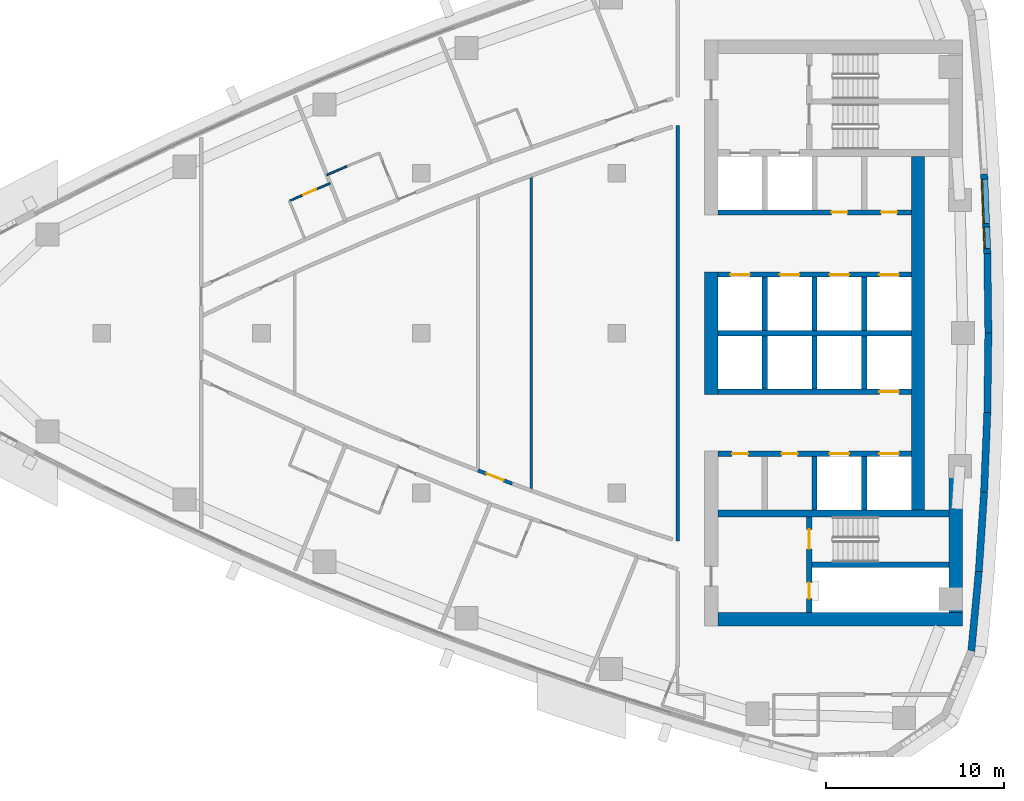
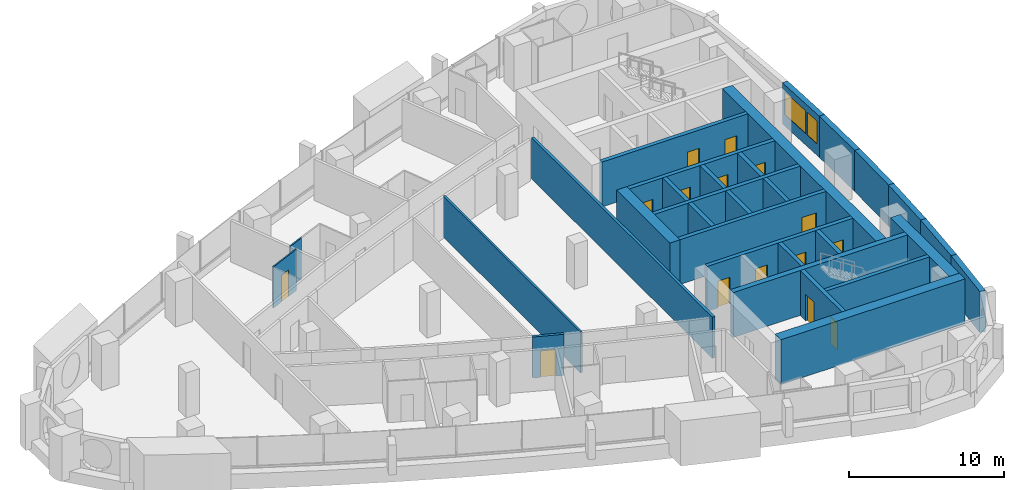
# One storey, part 11 of 17: 31 walls, 15 doors, 2 windows, 17 openings.
"""IFC4 building model written with IfcOpenShell, lengths in metres."""

from ifc_helpers import new_model, si_unit, direction, frame, frame_2d, origin, place, context, subcontext, project, spatial, polyline, rectangle, outline, extrude, material, layer, layer_set, type_object, element, fill, save


model = new_model("IFC4")

# Units and contexts
model_context = context("Model", 3, precision=1e-05, world=origin(), true_north=direction((0.0, 1.0)))
body_context = subcontext(model_context, "Body", "Model", "MODEL_VIEW")
ifc_project = project(units=[si_unit("LENGTHUNIT", "METRE"), si_unit("AREAUNIT", "SQUARE_METRE"), si_unit("VOLUMEUNIT", "CUBIC_METRE"), si_unit("PLANEANGLEUNIT", "RADIAN"), si_unit("MASSUNIT", "GRAM", prefix="KILO")], contexts=[model_context])

# Site, building, storey
site_placement = place(None, origin())
site = spatial("IfcSite", under=ifc_project, at=site_placement, CompositionType="ELEMENT")
building_placement = place(site_placement, origin())
building = spatial("IfcBuilding", under=site, at=building_placement, Name="Ostrand Prow Hotel Tower", CompositionType="ELEMENT")
storey_placement = place(building_placement, frame((0.0, 0.0, 196.800048828125)))
storey = spatial("IfcBuildingStorey", under=building, at=storey_placement, Name="L49", CompositionType="ELEMENT", Elevation=196.800048828125)

# Wall
ifc_material_1 = material(Name="Concrete C60/75", Category="concrete")
ifc_layer_1 = layer(ifc_material_1, 0.300048828125)
ifc_layer_set_1 = layer_set([ifc_layer_1], Name="Concrete C60/75")
wall_type_1 = type_object("IfcWallType", Name="Core wall 300 C60/75", PredefinedType="SHEAR", material=ifc_layer_set_1)
wall_1_placement = place(storey_placement, frame((50.699951171875, 0.0, 0.0), z_axis=(0.0, 0.0, 1.0), x_axis=(1.0, 0.0, 0.0)))
element("IfcWall", 1, at=wall_1_placement, inside=storey, type_object=wall_type_1, Name="Core wall PW-C", PredefinedType="SHEAR", context=body_context, shape_type="SweptSolid", body=[
    extrude(rectangle(XDim=10.900146484375, YDim=0.300048828125, at=frame_2d((5.4501953125, 0.0))), origin(), (0.0, 0.0, 1.0), 3.550048828125),
])

# Wall, openings, doors
wall_2_placement = place(storey_placement, frame((50.699951171875, 3.300048828125, 0.0), z_axis=(0.0, 0.0, 1.0), x_axis=(1.0, 0.0, 0.0)))
wall_2 = element("IfcWall", 2, at=wall_2_placement, inside=storey, type_object=wall_type_1, Name="Core wall PW-L1-N", PredefinedType="SHEAR", context=body_context, shape_type="SweptSolid", body=[
    extrude(rectangle(XDim=10.900146484375, YDim=0.300048828125, at=frame_2d((5.4501953125, 0.0))), origin(), (0.0, 0.0, 1.0), 3.550048828125),
])
opening_1_placement = place(wall_2_placement, frame((0.699951171875, 0.0, 0.0)))
opening_1 = element("IfcOpeningElement", 3, at=opening_1_placement, cuts=wall_2, Name="Opening LD", PredefinedType="OPENING", context=body_context, shape_type="SweptSolid", body=[
    extrude(rectangle(XDim=1.10009765625, YDim=2.10009765625, at=frame_2d((0.550048828125, 1.050048828125))), frame((0.0, 0.159912109375, 0.0), z_axis=(0.0, -1.0, 0.0), x_axis=(1.0, 0.0, 0.0)), (0.0, 0.0, 1.0), 0.320068359375),
])
opening_2_placement = place(wall_2_placement, frame((3.5, 0.0, 0.0)))
opening_2 = element("IfcOpeningElement", 4, at=opening_2_placement, cuts=wall_2, Name="Opening LD", PredefinedType="OPENING", context=body_context, shape_type="SweptSolid", body=[
    extrude(rectangle(XDim=1.10009765625, YDim=2.10009765625, at=frame_2d((0.550048828125, 1.050048828125))), frame((0.0, 0.159912109375, 0.0), z_axis=(0.0, -1.0, 0.0), x_axis=(1.0, 0.0, 0.0)), (0.0, 0.0, 1.0), 0.320068359375),
])
opening_3_placement = place(wall_2_placement, frame((6.300048828125, 0.0, 0.0)))
opening_3 = element("IfcOpeningElement", 5, at=opening_3_placement, cuts=wall_2, Name="Opening LD", PredefinedType="OPENING", context=body_context, shape_type="SweptSolid", body=[
    extrude(rectangle(XDim=1.10009765625, YDim=2.10009765625, at=frame_2d((0.550048828125, 1.050048828125))), frame((0.0, 0.159912109375, 0.0), z_axis=(0.0, -1.0, 0.0), x_axis=(1.0, 0.0, 0.0)), (0.0, 0.0, 1.0), 0.320068359375),
])
opening_4_placement = place(wall_2_placement, frame((9.10009765625, 0.0, 0.0)))
opening_4 = element("IfcOpeningElement", 6, at=opening_4_placement, cuts=wall_2, Name="Opening LD", PredefinedType="OPENING", context=body_context, shape_type="SweptSolid", body=[
    extrude(rectangle(XDim=1.10009765625, YDim=2.10009765625, at=frame_2d((0.550048828125, 1.050048828125))), frame((0.0, 0.159912109375, 0.0), z_axis=(0.0, -1.0, 0.0), x_axis=(1.0, 0.0, 0.0)), (0.0, 0.0, 1.0), 0.320068359375),
])
ifc_material_2 = material(Name="Stainless steel door", Category="steel")
door_type_1 = type_object("IfcDoorType", Name="Lift landing door 1100", OperationType="DOUBLE_DOOR_SLIDING", PredefinedType="DOOR", material=ifc_material_2)
door_1_placement = place(opening_1_placement, origin())
door_1 = element("IfcDoor", 7, at=door_1_placement, inside=storey, type_object=door_type_1, Name="LIFT LANDING DOOR", OperationType="DOUBLE_DOOR_SLIDING", OverallHeight=2.10009765625, OverallWidth=1.10009765625, PredefinedType="DOOR", context=body_context, shape_type="SweptSolid", body=[
    extrude(rectangle(XDim=1.10009765625, YDim=2.10009765625, at=frame_2d((0.550048828125, 1.050048828125))), frame((0.0, 0.02490234375, 0.0), z_axis=(0.0, -1.0, 0.0), x_axis=(1.0, 0.0, 0.0)), (0.0, 0.0, 1.0), 0.050048828125),
])
fill(opening_1, door_1)
door_2_placement = place(opening_2_placement, origin())
door_2 = element("IfcDoor", 8, at=door_2_placement, inside=storey, type_object=door_type_1, Name="LIFT LANDING DOOR", OperationType="DOUBLE_DOOR_SLIDING", OverallHeight=2.10009765625, OverallWidth=1.10009765625, PredefinedType="DOOR", context=body_context, shape_type="SweptSolid", body=[
    extrude(rectangle(XDim=1.10009765625, YDim=2.10009765625, at=frame_2d((0.550048828125, 1.050048828125))), frame((0.0, 0.02490234375, 0.0), z_axis=(0.0, -1.0, 0.0), x_axis=(1.0, 0.0, 0.0)), (0.0, 0.0, 1.0), 0.050048828125),
])
fill(opening_2, door_2)
door_3_placement = place(opening_3_placement, origin())
door_3 = element("IfcDoor", 9, at=door_3_placement, inside=storey, type_object=door_type_1, Name="LIFT LANDING DOOR", OperationType="DOUBLE_DOOR_SLIDING", OverallHeight=2.10009765625, OverallWidth=1.10009765625, PredefinedType="DOOR", context=body_context, shape_type="SweptSolid", body=[
    extrude(rectangle(XDim=1.10009765625, YDim=2.10009765625, at=frame_2d((0.550048828125, 1.050048828125))), frame((0.0, 0.02490234375, 0.0), z_axis=(0.0, -1.0, 0.0), x_axis=(1.0, 0.0, 0.0)), (0.0, 0.0, 1.0), 0.050048828125),
])
fill(opening_3, door_3)
door_4_placement = place(opening_4_placement, origin())
door_4 = element("IfcDoor", 10, at=door_4_placement, inside=storey, type_object=door_type_1, Name="LIFT LANDING DOOR", OperationType="DOUBLE_DOOR_SLIDING", OverallHeight=2.10009765625, OverallWidth=1.10009765625, PredefinedType="DOOR", context=body_context, shape_type="SweptSolid", body=[
    extrude(rectangle(XDim=1.10009765625, YDim=2.10009765625, at=frame_2d((0.550048828125, 1.050048828125))), frame((0.0, 0.02490234375, 0.0), z_axis=(0.0, -1.0, 0.0), x_axis=(1.0, 0.0, 0.0)), (0.0, 0.0, 1.0), 0.050048828125),
])
fill(opening_4, door_4)

wall_3_placement = place(storey_placement, frame((50.699951171875, 6.800048828125, 0.0), z_axis=(0.0, 0.0, 1.0), x_axis=(1.0, 0.0, 0.0)))
wall_3 = element("IfcWall", 11, at=wall_3_placement, inside=storey, type_object=wall_type_1, Name="Core wall PW-L2-N", PredefinedType="SHEAR", context=body_context, shape_type="SweptSolid", body=[
    extrude(rectangle(XDim=10.900146484375, YDim=0.300048828125, at=frame_2d((5.4501953125, 0.0))), origin(), (0.0, 0.0, 1.0), 3.550048828125),
])
opening_5_placement = place(wall_3_placement, frame((6.39990234375, 0.0, 0.0)))
opening_5 = element("IfcOpeningElement", 12, at=opening_5_placement, cuts=wall_3, Name="Opening FD2", PredefinedType="OPENING", context=body_context, shape_type="SweptSolid", body=[
    extrude(rectangle(XDim=0.89990234375, YDim=2.10009765625, at=frame_2d((0.449951171875, 1.050048828125))), frame((0.0, 0.159912109375, 0.0), z_axis=(0.0, -1.0, 0.0), x_axis=(1.0, 0.0, 0.0)), (0.0, 0.0, 1.0), 0.320068359375),
])
opening_6_placement = place(wall_3_placement, frame((9.199951171875, 0.0, 0.0)))
opening_6 = element("IfcOpeningElement", 13, at=opening_6_placement, cuts=wall_3, Name="Opening FD2", PredefinedType="OPENING", context=body_context, shape_type="SweptSolid", body=[
    extrude(rectangle(XDim=0.89990234375, YDim=2.10009765625, at=frame_2d((0.449951171875, 1.050048828125))), frame((0.0, 0.159912109375, 0.0), z_axis=(0.0, -1.0, 0.0), x_axis=(1.0, 0.0, 0.0)), (0.0, 0.0, 1.0), 0.320068359375),
])
ifc_material_3 = material(Name="Steel fire door", Category="steel")
door_type_2 = type_object("IfcDoorType", Name="Fire door 900 EI120", OperationType="SINGLE_SWING_LEFT", PredefinedType="DOOR", material=ifc_material_3)
door_5_placement = place(opening_5_placement, origin())
door_5 = element("IfcDoor", 14, at=door_5_placement, inside=storey, type_object=door_type_2, Name="DOOR", OperationType="SINGLE_SWING_LEFT", OverallHeight=2.10009765625, OverallWidth=0.89990234375, PredefinedType="DOOR", context=body_context, shape_type="SweptSolid", body=[
    extrude(rectangle(XDim=0.89990234375, YDim=2.10009765625, at=frame_2d((0.449951171875, 1.050048828125))), frame((0.0, 0.02490234375, 0.0), z_axis=(0.0, -1.0, 0.0), x_axis=(1.0, 0.0, 0.0)), (0.0, 0.0, 1.0), 0.050048828125),
])
fill(opening_5, door_5)
door_6_placement = place(opening_6_placement, origin())
door_6 = element("IfcDoor", 15, at=door_6_placement, inside=storey, type_object=door_type_2, Name="DOOR", OperationType="SINGLE_SWING_LEFT", OverallHeight=2.10009765625, OverallWidth=0.89990234375, PredefinedType="DOOR", context=body_context, shape_type="SweptSolid", body=[
    extrude(rectangle(XDim=0.89990234375, YDim=2.10009765625, at=frame_2d((0.449951171875, 1.050048828125))), frame((0.0, 0.02490234375, 0.0), z_axis=(0.0, -1.0, 0.0), x_axis=(1.0, 0.0, 0.0)), (0.0, 0.0, 1.0), 0.050048828125),
])
fill(opening_6, door_6)

# Walls
for number, where, z_axis, x_axis, name in (
    (16, (53.35009765625, 0.14990234375, 0.0), (0.0, 0.0, 1.0), (0.0, 1.0, 0.0), "Core wall PW-R1-NB"),
    (17, (56.14990234375, 0.14990234375, 0.0), (0.0, 0.0, 1.0), (0.0, 1.0, 0.0), "Core wall PW-R2-NB"),
    (18, (58.949951171875, 0.14990234375, 0.0), (0.0, 0.0, 1.0), (0.0, 1.0, 0.0), "Core wall PW-R3-NB"),
):
    element("IfcWall", number, at=place(storey_placement, frame(where, z_axis=z_axis, x_axis=x_axis)), inside=storey, type_object=wall_type_1, Name=name, PredefinedType="SHEAR", context=body_context, shape_type="SweptSolid", body=[
        extrude(rectangle(XDim=3.0, YDim=0.300048828125, at=frame_2d((1.5, 0.0))), origin(), (0.0, 0.0, 1.0), 3.550048828125),
    ])

# Wall, opening, door
wall_4_placement = place(storey_placement, frame((50.699951171875, -3.300048828125, 0.0), z_axis=(0.0, 0.0, 1.0), x_axis=(1.0, 0.0, 0.0)))
wall_4 = element("IfcWall", 19, at=wall_4_placement, inside=storey, type_object=wall_type_1, Name="Core wall PW-L1-S", PredefinedType="SHEAR", context=body_context, shape_type="SweptSolid", body=[
    extrude(rectangle(XDim=10.900146484375, YDim=0.300048828125, at=frame_2d((5.4501953125, 0.0))), origin(), (0.0, 0.0, 1.0), 3.550048828125),
])
opening_7_placement = place(wall_4_placement, frame((9.10009765625, 0.0, 0.0)))
opening_7 = element("IfcOpeningElement", 20, at=opening_7_placement, cuts=wall_4, Name="Opening LD", PredefinedType="OPENING", context=body_context, shape_type="SweptSolid", body=[
    extrude(rectangle(XDim=1.10009765625, YDim=2.10009765625, at=frame_2d((0.550048828125, 1.050048828125))), frame((0.0, 0.159912109375, 0.0), z_axis=(0.0, -1.0, 0.0), x_axis=(1.0, 0.0, 0.0)), (0.0, 0.0, 1.0), 0.320068359375),
])
door_7_placement = place(opening_7_placement, origin())
door_7 = element("IfcDoor", 21, at=door_7_placement, inside=storey, type_object=door_type_1, Name="LIFT LANDING DOOR", OperationType="DOUBLE_DOOR_SLIDING", OverallHeight=2.10009765625, OverallWidth=1.10009765625, PredefinedType="DOOR", context=body_context, shape_type="SweptSolid", body=[
    extrude(rectangle(XDim=1.10009765625, YDim=2.10009765625, at=frame_2d((0.550048828125, 1.050048828125))), frame((0.0, 0.02490234375, 0.0), z_axis=(0.0, -1.0, 0.0), x_axis=(1.0, 0.0, 0.0)), (0.0, 0.0, 1.0), 0.050048828125),
])
fill(opening_7, door_7)

# Wall, openings, doors
wall_5_placement = place(storey_placement, frame((50.699951171875, -6.800048828125, 0.0), z_axis=(0.0, 0.0, 1.0), x_axis=(1.0, 0.0, 0.0)))
wall_5 = element("IfcWall", 22, at=wall_5_placement, inside=storey, type_object=wall_type_1, Name="Core wall PW-L2-S", PredefinedType="SHEAR", context=body_context, shape_type="SweptSolid", body=[
    extrude(rectangle(XDim=10.900146484375, YDim=0.300048828125, at=frame_2d((5.4501953125, 0.0))), origin(), (0.0, 0.0, 1.0), 3.550048828125),
])
opening_8_placement = place(wall_5_placement, frame((6.300048828125, 0.0, 0.0)))
opening_8 = element("IfcOpeningElement", 23, at=opening_8_placement, cuts=wall_5, Name="Opening LD", PredefinedType="OPENING", context=body_context, shape_type="SweptSolid", body=[
    extrude(rectangle(XDim=1.10009765625, YDim=2.10009765625, at=frame_2d((0.550048828125, 1.050048828125))), frame((0.0, 0.159912109375, 0.0), z_axis=(0.0, -1.0, 0.0), x_axis=(1.0, 0.0, 0.0)), (0.0, 0.0, 1.0), 0.320068359375),
])
opening_9_placement = place(wall_5_placement, frame((9.10009765625, 0.0, 0.0)))
opening_9 = element("IfcOpeningElement", 24, at=opening_9_placement, cuts=wall_5, Name="Opening LD", PredefinedType="OPENING", context=body_context, shape_type="SweptSolid", body=[
    extrude(rectangle(XDim=1.10009765625, YDim=2.10009765625, at=frame_2d((0.550048828125, 1.050048828125))), frame((0.0, 0.159912109375, 0.0), z_axis=(0.0, -1.0, 0.0), x_axis=(1.0, 0.0, 0.0)), (0.0, 0.0, 1.0), 0.320068359375),
])
opening_10_placement = place(wall_5_placement, frame((0.800048828125, 0.0, 0.0)))
opening_10 = element("IfcOpeningElement", 25, at=opening_10_placement, cuts=wall_5, Name="Opening FD2", PredefinedType="OPENING", context=body_context, shape_type="SweptSolid", body=[
    extrude(rectangle(XDim=0.89990234375, YDim=2.10009765625, at=frame_2d((0.449951171875, 1.050048828125))), frame((0.0, 0.159912109375, 0.0), z_axis=(0.0, -1.0, 0.0), x_axis=(1.0, 0.0, 0.0)), (0.0, 0.0, 1.0), 0.320068359375),
])
opening_11_placement = place(wall_5_placement, frame((3.60009765625, 0.0, 0.0)))
opening_11 = element("IfcOpeningElement", 26, at=opening_11_placement, cuts=wall_5, Name="Opening FD2", PredefinedType="OPENING", context=body_context, shape_type="SweptSolid", body=[
    extrude(rectangle(XDim=0.89990234375, YDim=2.10009765625, at=frame_2d((0.449951171875, 1.050048828125))), frame((0.0, 0.159912109375, 0.0), z_axis=(0.0, -1.0, 0.0), x_axis=(1.0, 0.0, 0.0)), (0.0, 0.0, 1.0), 0.320068359375),
])
door_8_placement = place(opening_10_placement, origin())
door_8 = element("IfcDoor", 27, at=door_8_placement, inside=storey, type_object=door_type_2, Name="DOOR", OperationType="SINGLE_SWING_LEFT", OverallHeight=2.10009765625, OverallWidth=0.89990234375, PredefinedType="DOOR", context=body_context, shape_type="SweptSolid", body=[
    extrude(rectangle(XDim=0.89990234375, YDim=2.10009765625, at=frame_2d((0.449951171875, 1.050048828125))), frame((0.0, 0.02490234375, 0.0), z_axis=(0.0, -1.0, 0.0), x_axis=(1.0, 0.0, 0.0)), (0.0, 0.0, 1.0), 0.050048828125),
])
fill(opening_10, door_8)
door_9_placement = place(opening_11_placement, origin())
door_9 = element("IfcDoor", 28, at=door_9_placement, inside=storey, type_object=door_type_2, Name="DOOR", OperationType="SINGLE_SWING_LEFT", OverallHeight=2.10009765625, OverallWidth=0.89990234375, PredefinedType="DOOR", context=body_context, shape_type="SweptSolid", body=[
    extrude(rectangle(XDim=0.89990234375, YDim=2.10009765625, at=frame_2d((0.449951171875, 1.050048828125))), frame((0.0, 0.02490234375, 0.0), z_axis=(0.0, -1.0, 0.0), x_axis=(1.0, 0.0, 0.0)), (0.0, 0.0, 1.0), 0.050048828125),
])
fill(opening_11, door_9)
door_10_placement = place(opening_8_placement, origin())
door_10 = element("IfcDoor", 29, at=door_10_placement, inside=storey, type_object=door_type_1, Name="LIFT LANDING DOOR", OperationType="DOUBLE_DOOR_SLIDING", OverallHeight=2.10009765625, OverallWidth=1.10009765625, PredefinedType="DOOR", context=body_context, shape_type="SweptSolid", body=[
    extrude(rectangle(XDim=1.10009765625, YDim=2.10009765625, at=frame_2d((0.550048828125, 1.050048828125))), frame((0.0, 0.02490234375, 0.0), z_axis=(0.0, -1.0, 0.0), x_axis=(1.0, 0.0, 0.0)), (0.0, 0.0, 1.0), 0.050048828125),
])
fill(opening_8, door_10)
door_11_placement = place(opening_9_placement, origin())
door_11 = element("IfcDoor", 30, at=door_11_placement, inside=storey, type_object=door_type_1, Name="LIFT LANDING DOOR", OperationType="DOUBLE_DOOR_SLIDING", OverallHeight=2.10009765625, OverallWidth=1.10009765625, PredefinedType="DOOR", context=body_context, shape_type="SweptSolid", body=[
    extrude(rectangle(XDim=1.10009765625, YDim=2.10009765625, at=frame_2d((0.550048828125, 1.050048828125))), frame((0.0, 0.02490234375, 0.0), z_axis=(0.0, -1.0, 0.0), x_axis=(1.0, 0.0, 0.0)), (0.0, 0.0, 1.0), 0.050048828125),
])
fill(opening_9, door_11)

# Walls
for number, where, z_axis, x_axis, name in (
    (31, (53.35009765625, -3.14990234375, 0.0), (0.0, 0.0, 1.0), (0.0, 1.0, 0.0), "Core wall PW-R1-SB"),
    (32, (56.14990234375, -3.14990234375, 0.0), (0.0, 0.0, 1.0), (0.0, 1.0, 0.0), "Core wall PW-R2-SB"),
    (33, (56.14990234375, -9.949951171875, 0.0), (0.0, 0.0, 1.0), (0.0, 1.0, 0.0), "Core wall PW-R2-SA"),
    (34, (58.949951171875, -3.14990234375, 0.0), (0.0, 0.0, 1.0), (0.0, 1.0, 0.0), "Core wall PW-R3-SB"),
    (35, (58.949951171875, -9.949951171875, 0.0), (0.0, 0.0, 1.0), (0.0, 1.0, 0.0), "Core wall PW-R3-SA"),
):
    element("IfcWall", number, at=place(storey_placement, frame(where, z_axis=z_axis, x_axis=x_axis)), inside=storey, type_object=wall_type_1, Name=name, PredefinedType="SHEAR", context=body_context, shape_type="SweptSolid", body=[
        extrude(rectangle(XDim=3.0, YDim=0.300048828125, at=frame_2d((1.5, 0.0))), origin(), (0.0, 0.0, 1.0), 3.550048828125),
    ])

# Wall, openings, doors
wall_6_placement = place(storey_placement, frame((55.85009765625, -15.75, 0.0), z_axis=(0.0, 0.0, 1.0), x_axis=(0.0, 1.0, 0.0)))
wall_6 = element("IfcWall", 36, at=wall_6_placement, inside=storey, type_object=wall_type_1, Name="Core wall PW-VS", PredefinedType="SHEAR", context=body_context, shape_type="SweptSolid", body=[
    extrude(rectangle(XDim=5.39990234375, YDim=0.300048828125, at=frame_2d((2.699951171875, 0.0))), origin(), (0.0, 0.0, 1.0), 3.550048828125),
])
opening_12_placement = place(wall_6_placement, frame((3.60009765625, 0.0, 0.0)))
opening_12 = element("IfcOpeningElement", 37, at=opening_12_placement, cuts=wall_6, Name="Opening FD1", PredefinedType="OPENING", context=body_context, shape_type="SweptSolid", body=[
    extrude(rectangle(XDim=1.10009765625, YDim=2.10009765625, at=frame_2d((0.550048828125, 1.050048828125))), frame((0.0, 0.159912109375, 0.0), z_axis=(0.0, -1.0, 0.0), x_axis=(1.0, 0.0, 0.0)), (0.0, 0.0, 1.0), 0.320068359375),
])
opening_13_placement = place(wall_6_placement, frame((0.800048828125, 0.0, 0.0)))
opening_13 = element("IfcOpeningElement", 38, at=opening_13_placement, cuts=wall_6, Name="Opening FD2", PredefinedType="OPENING", context=body_context, shape_type="SweptSolid", body=[
    extrude(rectangle(XDim=0.89990234375, YDim=2.10009765625, at=frame_2d((0.449951171875, 1.050048828125))), frame((0.0, 0.159912109375, 0.0), z_axis=(0.0, -1.0, 0.0), x_axis=(1.0, 0.0, 0.0)), (0.0, 0.0, 1.0), 0.320068359375),
])
ifc_material_4 = material(Name="Steel fire door", Category="steel")
door_type_3 = type_object("IfcDoorType", Name="Fire door 1100 EI120", OperationType="SINGLE_SWING_RIGHT", PredefinedType="DOOR", material=ifc_material_4)
door_12_placement = place(opening_12_placement, origin())
door_12 = element("IfcDoor", 39, at=door_12_placement, inside=storey, type_object=door_type_3, Name="FIRE DOOR", OperationType="SINGLE_SWING_RIGHT", OverallHeight=2.10009765625, OverallWidth=1.10009765625, PredefinedType="DOOR", context=body_context, shape_type="SweptSolid", body=[
    extrude(rectangle(XDim=1.10009765625, YDim=2.10009765625, at=frame_2d((0.550048828125, 1.050048828125))), frame((0.0, 0.02490234375, 0.0), z_axis=(0.0, -1.0, 0.0), x_axis=(1.0, 0.0, 0.0)), (0.0, 0.0, 1.0), 0.050048828125),
])
fill(opening_12, door_12)
door_13_placement = place(opening_13_placement, origin())
door_13 = element("IfcDoor", 40, at=door_13_placement, inside=storey, type_object=door_type_2, Name="FIRE DOOR", OperationType="SINGLE_SWING_LEFT", OverallHeight=2.10009765625, OverallWidth=0.89990234375, PredefinedType="DOOR", context=body_context, shape_type="SweptSolid", body=[
    extrude(rectangle(XDim=0.89990234375, YDim=2.10009765625, at=frame_2d((0.449951171875, 1.050048828125))), frame((0.0, 0.02490234375, 0.0), z_axis=(0.0, -1.0, 0.0), x_axis=(1.0, 0.0, 0.0)), (0.0, 0.0, 1.0), 0.050048828125),
])
fill(opening_13, door_13)

# Walls
wall_7_placement = place(storey_placement, frame((56.0, -13.050048828125, 0.0), z_axis=(0.0, 0.0, 1.0), x_axis=(1.0, 0.0, 0.0)))
element("IfcWall", 41, at=wall_7_placement, inside=storey, type_object=wall_type_1, Name="Core wall PW-ST2R", PredefinedType="SHEAR", context=body_context, shape_type="SweptSolid", body=[
    extrude(rectangle(XDim=7.719970703125, YDim=0.300048828125, at=frame_2d((3.85986328125, 0.0))), origin(), (0.0, 0.0, 1.0), 3.550048828125),
])
ifc_material_5 = material(Name="Concrete C60/75", Category="concrete")
ifc_layer_2 = layer(ifc_material_5, 0.39990234375)
ifc_layer_set_2 = layer_set([ifc_layer_2], Name="Concrete C60/75")
wall_type_2 = type_object("IfcWallType", Name="Core wall 400 C60/75", PredefinedType="SHEAR", material=ifc_layer_set_2)
wall_8_placement = place(storey_placement, frame((50.699951171875, -10.14990234375, 0.0), z_axis=(0.0, 0.0, 1.0), x_axis=(1.0, 0.0, 0.0)))
element("IfcWall", 42, at=wall_8_placement, inside=storey, type_object=wall_type_2, Name="Core wall PW-BS", PredefinedType="SHEAR", context=body_context, shape_type="SweptSolid", body=[
    extrude(rectangle(XDim=13.02001953125, YDim=0.39990234375, at=frame_2d((6.510009765625, 0.0))), origin(), (0.0, 0.0, 1.0), 3.550048828125),
])
ifc_material_6 = material(Name="Concrete C60/75", Category="concrete")
ifc_layer_3 = layer(ifc_material_6, 0.75)
ifc_layer_set_3 = layer_set([ifc_layer_3], Name="Concrete C60/75")
wall_type_3 = type_object("IfcWallType", Name="Core wall 750 C60/75", PredefinedType="SHEAR", material=ifc_layer_set_3)
wall_9_placement = place(storey_placement, frame((50.324951171875, -3.449951171875, 0.0), z_axis=(0.0, 0.0, 1.0), x_axis=(0.0, 1.0, 0.0)))
element("IfcWall", 43, at=wall_9_placement, inside=storey, type_object=wall_type_3, Name="Core wall CW-W-C", PredefinedType="SHEAR", context=body_context, shape_type="SweptSolid", body=[
    extrude(rectangle(XDim=6.89990234375, YDim=0.75, at=frame_2d((3.449951171875, 0.0))), origin(), (0.0, 0.0, 1.0), 3.550048828125),
])
wall_10_placement = place(storey_placement, frame((50.699951171875, -16.125, 0.0), z_axis=(0.0, 0.0, 1.0), x_axis=(1.0, 0.0, 0.0)))
element("IfcWall", 44, at=wall_10_placement, inside=storey, type_object=wall_type_3, Name="Core wall CW-S", PredefinedType="SHEAR", context=body_context, shape_type="SweptSolid", body=[
    extrude(rectangle(XDim=13.77001953125, YDim=0.75, at=frame_2d((6.885009765625, 0.0))), origin(), (0.0, 0.0, 1.0), 3.550048828125),
])
wall_11_placement = place(storey_placement, frame((64.094970703125, -15.75, 0.0), z_axis=(0.0, 0.0, 1.0), x_axis=(0.0, 1.0, 0.0)))
element("IfcWall", 45, at=wall_11_placement, inside=storey, type_object=wall_type_3, Name="Core wall CW-E-S", PredefinedType="SHEAR", context=body_context, shape_type="SweptSolid", body=[
    extrude(rectangle(XDim=7.65087890625, YDim=0.75, at=frame_2d((3.825439453125, 0.0))), origin(), (0.0, 0.0, 1.0), 3.550048828125),
])
wall_12_placement = place(storey_placement, frame((61.97509765625, -9.949951171875, 0.0), z_axis=(0.0, 0.0, 1.0), x_axis=(0.0, 1.0, 0.0)))
element("IfcWall", 46, at=wall_12_placement, inside=storey, type_object=wall_type_3, Name="Core wall CW-E-C", PredefinedType="SHEAR", context=body_context, shape_type="SweptSolid", body=[
    extrude(rectangle(XDim=19.89990234375, YDim=0.75, at=frame_2d((9.949951171875, 0.0))), origin(), (0.0, 0.0, 1.0), 3.550048828125),
])

# Wall, opening, door
ifc_material_7 = material(Name="Plasterboard partition")
ifc_layer_4 = layer(ifc_material_7, 0.10009765625)
ifc_layer_set_4 = layer_set([ifc_layer_4], Name="Plasterboard partition")
wall_type_4 = type_object("IfcWallType", Name="Partition 100 bathroom wall", PredefinedType="PARTITIONING", material=ifc_layer_set_4)
wall_13_placement = place(storey_placement, frame((26.5673828125, 7.44873046875, 0.0), z_axis=(0.0, 0.0, 1.0), x_axis=(0.917363173809, 0.398051262199, 0.0)))
wall_13 = element("IfcWall", 47, at=wall_13_placement, inside=storey, type_object=wall_type_4, Name="BATHROOM WALL", PredefinedType="PARTITIONING", context=body_context, shape_type="SweptSolid", body=[
    extrude(rectangle(XDim=2.50048828125, YDim=0.10009765625, at=frame_2d((1.250244140625, 0.0))), origin(), (0.0, 0.0, 1.0), 3.25),
])
opening_14_placement = place(wall_13_placement, frame((0.85009765625, 0.0, 0.0)))
opening_14 = element("IfcOpeningElement", 48, at=opening_14_placement, cuts=wall_13, Name="Opening D2", PredefinedType="OPENING", context=body_context, shape_type="SweptSolid", body=[
    extrude(rectangle(XDim=0.800048828125, YDim=2.10009765625, at=frame_2d((0.39990234375, 1.050048828125))), frame((0.0, 0.06005859375, 0.0), z_axis=(0.0, -1.0, 0.0), x_axis=(1.0, 0.0, 0.0)), (0.0, 0.0, 1.0), 0.1201171875),
])
ifc_material_8 = material(Name="Timber door leaf", Category="wood")
door_type_4 = type_object("IfcDoorType", Name="Bathroom door 800", OperationType="SINGLE_SWING_LEFT", PredefinedType="DOOR", material=ifc_material_8)
door_14_placement = place(opening_14_placement, origin())
door_14 = element("IfcDoor", 49, at=door_14_placement, inside=storey, type_object=door_type_4, Name="DOOR", OperationType="SINGLE_SWING_LEFT", OverallHeight=2.10009765625, OverallWidth=0.800048828125, PredefinedType="DOOR", context=body_context, shape_type="SweptSolid", body=[
    extrude(rectangle(XDim=0.800048828125, YDim=2.10009765625, at=frame_2d((0.39990234375, 1.050048828125))), frame((0.0, 0.02490234375, 0.0), z_axis=(0.0, -1.0, 0.0), x_axis=(1.0, 0.0, 0.0)), (0.0, 0.0, 1.0), 0.050048828125),
])
fill(opening_14, door_14)

# Walls
wall_14_placement = place(storey_placement, frame((28.674560546875, 8.907958984375, 0.0), z_axis=(0.0, 0.0, 1.0), x_axis=(0.917378066425, 0.398016938386, 0.0)))
element("IfcWall", 50, at=wall_14_placement, inside=storey, type_object=wall_type_4, Name="BATHROOM WALL", PredefinedType="PARTITIONING", context=body_context, shape_type="SweptSolid", body=[
    extrude(rectangle(XDim=1.22119140625, YDim=0.10009765625, at=frame_2d((0.610595703125, 0.0))), origin(), (0.0, 0.0, 1.0), 3.25),
])
ifc_material_9 = material(Name="Plasterboard partition")
ifc_layer_5 = layer(ifc_material_9, 0.14990234375)
ifc_layer_set_5 = layer_set([ifc_layer_5], Name="Plasterboard partition")
wall_type_5 = type_object("IfcWallType", Name="Partition 150 room partition", PredefinedType="PARTITIONING", material=ifc_layer_set_5)
wall_15_placement = place(storey_placement, frame((40.1904296875, -8.87060546875, 0.0), z_axis=(0.0, 0.0, 1.0), x_axis=(0.0, 1.0, 0.0)))
element("IfcWall", 51, at=wall_15_placement, inside=storey, type_object=wall_type_5, Name="ROOM PARTITION", PredefinedType="PARTITIONING", context=body_context, shape_type="SweptSolid", body=[
    extrude(rectangle(XDim=17.7412109375, YDim=0.14990234375, at=frame_2d((8.87060546875, 0.0))), origin(), (0.0, 0.0, 1.0), 3.25),
])

# Wall, opening, door
ifc_material_10 = material(Name="Plasterboard partition")
ifc_layer_6 = layer(ifc_material_10, 0.199951171875)
ifc_layer_set_6 = layer_set([ifc_layer_6], Name="Plasterboard partition")
wall_type_6 = type_object("IfcWallType", Name="Partition 200 corridor wall", PredefinedType="PARTITIONING", material=ifc_layer_set_6)
wall_16_placement = place(storey_placement, frame((39.115478515625, -8.4794921875, 0.0), z_axis=(0.0, 0.0, 1.0), x_axis=(-0.9326579855, 0.360761807961, 0.0)))
wall_16 = element("IfcWall", 52, at=wall_16_placement, inside=storey, type_object=wall_type_6, Name="CORRIDOR WALL", PredefinedType="PARTITIONING", context=body_context, shape_type="SweptSolid", body=[
    extrude(rectangle(XDim=2.06396484375, YDim=0.199951171875, at=frame_2d((1.031982421875, 0.0))), origin(), (0.0, 0.0, 1.0), 3.25),
])
opening_15_placement = place(wall_16_placement, frame((0.531982421875, 0.0, 0.0)))
opening_15 = element("IfcOpeningElement", 53, at=opening_15_placement, cuts=wall_16, Name="Opening D1", PredefinedType="OPENING", context=body_context, shape_type="SweptSolid", body=[
    extrude(rectangle(XDim=1.0, YDim=2.10009765625, at=frame_2d((0.5, 1.050048828125))), frame((0.0, 0.10986328125, 0.0), z_axis=(0.0, -1.0, 0.0), x_axis=(1.0, 0.0, 0.0)), (0.0, 0.0, 1.0), 0.219970703125),
])
ifc_material_11 = material(Name="Timber door leaf", Category="wood")
door_type_5 = type_object("IfcDoorType", Name="Guest room door 1000", OperationType="SINGLE_SWING_LEFT", PredefinedType="DOOR", material=ifc_material_11)
door_15_placement = place(opening_15_placement, origin())
door_15 = element("IfcDoor", 54, at=door_15_placement, inside=storey, type_object=door_type_5, Name="DOOR", OperationType="SINGLE_SWING_LEFT", OverallHeight=2.10009765625, OverallWidth=1.0, PredefinedType="DOOR", context=body_context, shape_type="SweptSolid", body=[
    extrude(rectangle(XDim=1.0, YDim=2.10009765625, at=frame_2d((0.5, 1.050048828125))), frame((0.0, 0.02490234375, 0.0), z_axis=(0.0, -1.0, 0.0), x_axis=(1.0, 0.0, 0.0)), (0.0, 0.0, 1.0), 0.050048828125),
])
fill(opening_15, door_15)

# Walls
wall_17_placement = place(storey_placement, frame((48.445068359375, 11.7099609375, 0.0), z_axis=(0.0, 0.0, 1.0), x_axis=(0.0, -1.0, 0.0)))
element("IfcWall", 55, at=wall_17_placement, inside=storey, type_object=wall_type_6, Name="CORRIDOR WALL", PredefinedType="PARTITIONING", context=body_context, shape_type="SweptSolid", body=[
    extrude(rectangle(XDim=23.419921875, YDim=0.199951171875, at=frame_2d((11.7099609375, 0.0))), origin(), (0.0, 0.0, 1.0), 3.25),
])
ifc_material_12 = material(Name="Precast concrete C40/50", Category="concrete")
ifc_layer_7 = layer(ifc_material_12, 0.39990234375)
ifc_layer_set_7 = layer_set([ifc_layer_7], Name="Precast concrete C40/50")
wall_type_7 = type_object("IfcWallType", Name="Stone-faced precast wall 400 mm", PredefinedType="NOTDEFINED", material=ifc_layer_set_7)
wall_18_placement = place(storey_placement, frame((64.981201171875, -17.889892578125, 0.0), z_axis=(0.0, 0.0, 1.0), x_axis=(0.093605694738, 0.995609348044, 0.0)))
element("IfcWall", 56, at=wall_18_placement, inside=storey, type_object=wall_type_7, Name="Stone-faced wall back 5", PredefinedType="NOTDEFINED", context=body_context, shape_type="SweptSolid", body=[
    extrude(outline(polyline([(-0.0302734375, -0.199951171875), (4.483642578125, -0.199951171875), (4.478271484375, 0.199951171875), (0.0302734375, 0.199951171875), (-0.0302734375, -0.199951171875)])), origin(), (0.0, 0.0, 1.0), 3.25),
])
for number, where, z_axis, x_axis, name in (
    (57, (65.400634765625, -13.4287109375, 0.0), (0.0, 0.0, 1.0), (0.066905935948, 0.997759287471, 0.0), "Stone-faced wall back 6"),
    (58, (65.700439453125, -8.957763671875, 0.0), (0.0, 0.0, 1.0), (0.040155165338, 0.999193456092, 0.0), "Stone-faced wall back 7"),
    (59, (65.88037109375, -4.48046875, 0.0), (0.0, 0.0, 1.0), (0.013348854104, 0.999910900078, 0.0), "Stone-faced wall back 8"),
    (60, (65.940185546875, 0.0, 0.0), (0.0, 0.0, 1.0), (-0.013348854104, 0.999910900078, 0.0), "Stone-faced wall back 9"),
):
    element("IfcWall", number, at=place(storey_placement, frame(where, z_axis=z_axis, x_axis=x_axis)), inside=storey, type_object=wall_type_7, Name=name, PredefinedType="NOTDEFINED", context=body_context, shape_type="SweptSolid", body=[
        extrude(outline(polyline([(-0.002685546875, -0.199951171875), (4.483642578125, -0.199951171875), (4.478271484375, 0.199951171875), (0.002685546875, 0.199951171875), (-0.002685546875, -0.199951171875)])), origin(), (0.0, 0.0, 1.0), 3.25),
    ])

# Wall, openings, windows
wall_19_placement = place(storey_placement, frame((65.88037109375, 4.48046875, 0.0), z_axis=(0.0, 0.0, 1.0), x_axis=(-0.040155165338, 0.999193456092, 0.0)))
wall_19 = element("IfcWall", 61, at=wall_19_placement, inside=storey, type_object=wall_type_7, Name="Stone-faced wall back 10", PredefinedType="NOTDEFINED", context=body_context, shape_type="SweptSolid", body=[
    extrude(outline(polyline([(-0.002685546875, -0.199951171875), (4.483642578125, -0.199951171875), (4.478271484375, 0.199951171875), (0.002685546875, 0.199951171875), (-0.002685546875, -0.199951171875)])), origin(), (0.0, 0.0, 1.0), 3.25),
])
opening_16_placement = place(wall_19_placement, frame((0.290283203125, 0.0, 0.89990234375)))
opening_16 = element("IfcOpeningElement", 62, at=opening_16_placement, cuts=wall_19, Name="Opening WS4", PredefinedType="OPENING", context=body_context, shape_type="SweptSolid", body=[
    extrude(rectangle(XDim=1.199951171875, YDim=1.800048828125, at=frame_2d((0.60009765625, 0.89990234375))), frame((0.0, 0.2099609375, 0.0), z_axis=(0.0, -1.0, 0.0), x_axis=(1.0, 0.0, 0.0)), (0.0, 0.0, 1.0), 0.419921875),
])
opening_17_placement = place(wall_19_placement, frame((1.6904296875, 0.0, 0.89990234375)))
opening_17 = element("IfcOpeningElement", 63, at=opening_17_placement, cuts=wall_19, Name="Opening WS5-25", PredefinedType="OPENING", context=body_context, shape_type="SweptSolid", body=[
    extrude(rectangle(XDim=2.5, YDim=1.800048828125, at=frame_2d((1.25, 0.89990234375))), frame((0.0, 0.2099609375, 0.0), z_axis=(0.0, -1.0, 0.0), x_axis=(1.0, 0.0, 0.0)), (0.0, 0.0, 1.0), 0.419921875),
])
ifc_material_13 = material(Name="Insulated glass in bronze frame", Category="glass")
window_type_1 = type_object("IfcWindowType", Name="Fixed strip window 2500x1800", PartitioningType="SINGLE_PANEL", PredefinedType="WINDOW", material=ifc_material_13)
window_1_placement = place(opening_17_placement, origin())
window_1 = element("IfcWindow", 64, at=window_1_placement, inside=storey, type_object=window_type_1, Name="Window back 10.2", OverallHeight=1.800048828125, OverallWidth=2.5, PartitioningType="SINGLE_PANEL", PredefinedType="WINDOW", context=body_context, shape_type="SweptSolid", body=[
    extrude(rectangle(XDim=2.5, YDim=1.800048828125, at=frame_2d((1.25, 0.89990234375))), frame((0.0, 0.169921875, 0.0), z_axis=(0.0, -1.0, 0.0), x_axis=(1.0, 0.0, 0.0)), (0.0, 0.0, 1.0), 0.06005859375),
])
fill(opening_17, window_1)
ifc_material_14 = material(Name="Insulated glass in bronze frame", Category="glass")
window_type_2 = type_object("IfcWindowType", Name="Operable strip panel 1200x1800", PartitioningType="SINGLE_PANEL", PredefinedType="WINDOW", material=ifc_material_14)
window_2_placement = place(opening_16_placement, origin())
window_2 = element("IfcWindow", 65, at=window_2_placement, inside=storey, type_object=window_type_2, Name="Window back 10.1", OverallHeight=1.800048828125, OverallWidth=1.199951171875, PartitioningType="SINGLE_PANEL", PredefinedType="WINDOW", context=body_context, shape_type="SweptSolid", body=[
    extrude(rectangle(XDim=1.199951171875, YDim=1.800048828125, at=frame_2d((0.60009765625, 0.89990234375))), frame((0.0, 0.169921875, 0.0), z_axis=(0.0, -1.0, 0.0), x_axis=(1.0, 0.0, 0.0)), (0.0, 0.0, 1.0), 0.06005859375),
])
fill(opening_16, window_2)

save(model, "model.ifc")
